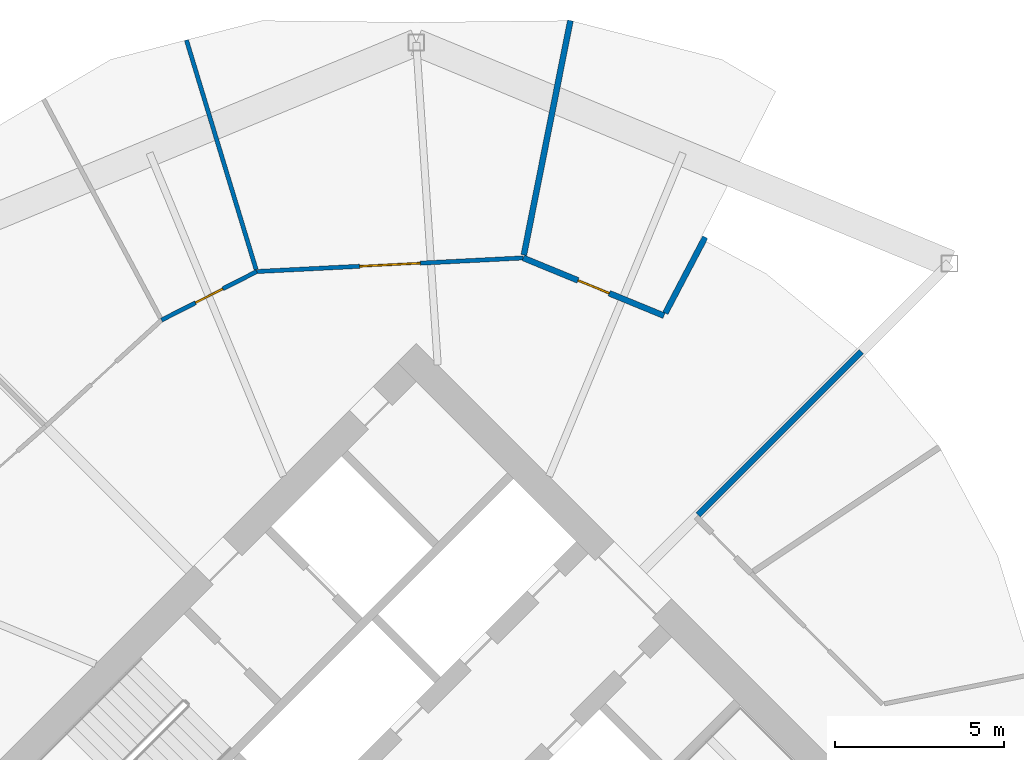
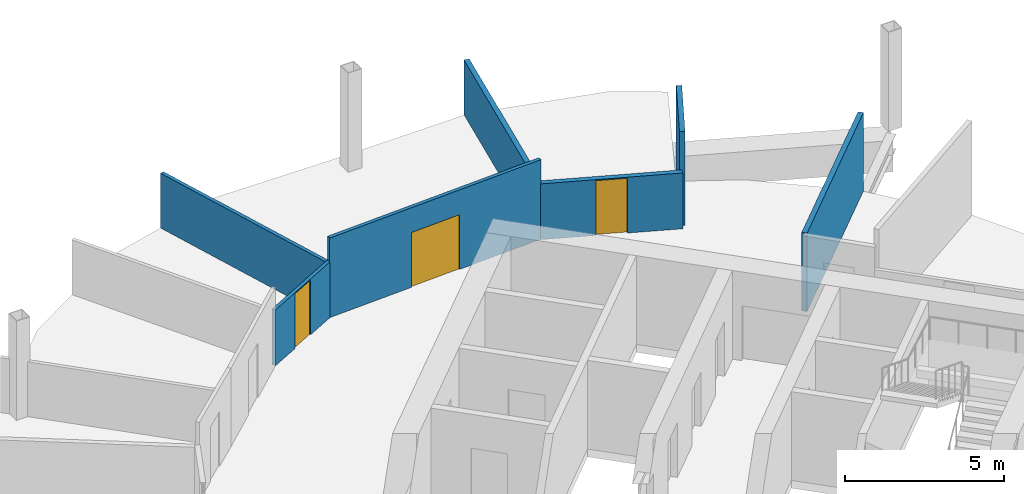
# One storey, part 8 of 10: 7 walls, 3 doors, 3 openings.
"""IFC4 building model written with IfcOpenShell, lengths in metres."""

from ifc_helpers import new_model, si_unit, direction, frame, frame_2d, origin, place, context, subcontext, project, spatial, rectangle, extrude, material, layer, layer_set, type_object, element, fill, save


model = new_model("IFC4")

# Units and contexts
model_context = context("Model", 3, precision=1e-05, world=origin(), true_north=direction((0.0, 1.0)))
body_context = subcontext(model_context, "Body", "Model", "MODEL_VIEW")
ifc_project = project(units=[si_unit("LENGTHUNIT", "METRE"), si_unit("AREAUNIT", "SQUARE_METRE"), si_unit("VOLUMEUNIT", "CUBIC_METRE"), si_unit("PLANEANGLEUNIT", "RADIAN"), si_unit("MASSUNIT", "GRAM", prefix="KILO")], contexts=[model_context])

# Site, building, storey
site_placement = place(None, origin())
site = spatial("IfcSite", under=ifc_project, at=site_placement, CompositionType="ELEMENT")
building_placement = place(site_placement, origin())
building = spatial("IfcBuilding", under=site, at=building_placement, Name="Ogive Gate Towers", CompositionType="ELEMENT")
storey_placement = place(building_placement, frame((0.0, 0.0, 126.89990234375)))
storey = spatial("IfcBuildingStorey", under=building, at=storey_placement, Name="L30", CompositionType="ELEMENT", Elevation=126.89990234375)

# Walls
ifc_material_1 = material(Name="Gypsum board acoustic partition")
ifc_layer_1 = layer(ifc_material_1, 0.175048828125)
ifc_layer_set_1 = layer_set([ifc_layer_1], Name="Acoustic partition 175")
wall_type_1 = type_object("IfcWallType", Name="Acoustic partition 175", PredefinedType="PARTITIONING", material=ifc_layer_set_1)
wall_1_placement = place(storey_placement, frame((49.187255859375, 13.187255859375, 0.0), z_axis=(0.0, 0.0, 1.0), x_axis=(-0.707106781187, -0.707106781187, 0.0)))
element("IfcWall", 1, at=wall_1_placement, inside=storey, type_object=wall_type_1, Name="Partition T2-L30-003", PredefinedType="PARTITIONING", context=body_context, shape_type="SweptSolid", body=[
    extrude(rectangle(XDim=6.83154296875, YDim=0.175048828125, at=frame_2d((3.415771484375, 0.0))), origin(), (0.0, 0.0, 1.0), 3.010009765625),
])
wall_2_placement = place(storey_placement, frame((44.561279296875, 16.58251953125, 0.0), z_axis=(0.0, 0.0, 1.0), x_axis=(-0.465001537554, -0.885309872346, 0.0)))
element("IfcWall", 2, at=wall_2_placement, inside=storey, type_object=wall_type_1, Name="Partition T2-L30-004", PredefinedType="PARTITIONING", context=body_context, shape_type="SweptSolid", body=[
    extrude(rectangle(XDim=2.5400390625, YDim=0.175048828125, at=frame_2d((1.27001953125, 0.0))), origin(), (0.0, 0.0, 1.0), 3.60009765625),
])
wall_3_placement = place(storey_placement, frame((40.5673828125, 23.00048828125, 0.0), z_axis=(0.0, 0.0, 1.0), x_axis=(-0.194789952069, -0.980844979889, 0.0)))
element("IfcWall", 3, at=wall_3_placement, inside=storey, type_object=wall_type_1, Name="Partition T2-L30-005", PredefinedType="PARTITIONING", context=body_context, shape_type="SweptSolid", body=[
    extrude(rectangle(XDim=7.08154296875, YDim=0.175048828125, at=frame_2d((3.540771484375, 0.0))), origin(), (0.0, 0.0, 1.0), 2.10009765625),
])

# Wall, opening, door
wall_4_placement = place(storey_placement, frame((39.1708984375, 15.96875, 0.0), z_axis=(0.0, 0.0, 1.0), x_axis=(0.924996361834, -0.379975960547, 0.0)))
wall_4 = element("IfcWall", 4, at=wall_4_placement, inside=storey, type_object=wall_type_1, Name="Partition T2-L30-034", PredefinedType="PARTITIONING", context=body_context, shape_type="SweptSolid", body=[
    extrude(rectangle(XDim=4.50732421875, YDim=0.175048828125, at=frame_2d((2.253662109375, 0.0))), origin(), (0.0, 0.0, 1.0), 2.14013671875),
])
opening_1_placement = place(wall_4_placement, frame((1.75390625, 0.0, 0.0)))
opening_1 = element("IfcOpeningElement", 5, at=opening_1_placement, cuts=wall_4, Name="Opening T2-L30-D11", PredefinedType="OPENING", context=body_context, shape_type="SweptSolid", body=[
    extrude(rectangle(XDim=1.0, YDim=2.10009765625, at=frame_2d((0.5, 1.050048828125))), frame((0.0, 0.09765625, 0.0), z_axis=(0.0, -1.0, 0.0), x_axis=(1.0, 0.0, 0.0)), (0.0, 0.0, 1.0), 0.195068359375),
])
ifc_material_2 = material(Name="Timber door", Category="wood")
door_type_1 = type_object("IfcDoorType", Name="Door 1000", OperationType="NOTDEFINED", PredefinedType="DOOR", material=ifc_material_2)
door_1_placement = place(opening_1_placement, origin())
door_1 = element("IfcDoor", 6, at=door_1_placement, inside=storey, type_object=door_type_1, Name="Door T2-L30-D11", OperationType="SINGLE_SWING_LEFT", OverallHeight=2.10009765625, OverallWidth=1.0, PredefinedType="DOOR", context=body_context, shape_type="SweptSolid", body=[
    extrude(rectangle(XDim=1.0, YDim=2.10009765625, at=frame_2d((0.5, 1.050048828125))), frame((0.0, 0.02490234375, 0.0), z_axis=(0.0, -1.0, 0.0), x_axis=(1.0, 0.0, 0.0)), (0.0, 0.0, 1.0), 0.050048828125),
])
fill(opening_1, door_1)

# Wall
ifc_material_3 = material(Name="Gypsum board partition")
ifc_layer_2 = layer(ifc_material_3, 0.125)
ifc_layer_set_2 = layer_set([ifc_layer_2], Name="Partition 125")
wall_type_2 = type_object("IfcWallType", Name="Partition 125", PredefinedType="PARTITIONING", material=ifc_layer_set_2)
wall_5_placement = place(storey_placement, frame((29.19140625, 22.4248046875, 0.0), z_axis=(0.0, 0.0, 1.0), x_axis=(0.290532718115, -0.956865058253, 0.0)))
element("IfcWall", 7, at=wall_5_placement, inside=storey, type_object=wall_type_2, Name="Partition T2-L30-006", PredefinedType="PARTITIONING", context=body_context, shape_type="SweptSolid", body=[
    extrude(rectangle(XDim=7.106689453125, YDim=0.125, at=frame_2d((3.55322265625, 0.0))), origin(), (0.0, 0.0, 1.0), 2.10009765625),
])

# Wall, opening, door
wall_6_placement = place(storey_placement, frame((28.45361328125, 14.127197265625, 0.0), z_axis=(0.0, 0.0, 1.0), x_axis=(0.890930007864, 0.454140640207, 0.0)))
wall_6 = element("IfcWall", 8, at=wall_6_placement, inside=storey, type_object=wall_type_2, Name="Partition T2-L30-032", PredefinedType="PARTITIONING", context=body_context, shape_type="SweptSolid", body=[
    extrude(rectangle(XDim=3.165771484375, YDim=0.125, at=frame_2d((1.5830078125, 0.0))), origin(), (0.0, 0.0, 1.0), 2.14013671875),
])
opening_2_placement = place(wall_6_placement, frame((1.133056640625, 0.0, 0.0)))
opening_2 = element("IfcOpeningElement", 9, at=opening_2_placement, cuts=wall_6, Name="Opening T2-L30-D09", PredefinedType="OPENING", context=body_context, shape_type="SweptSolid", body=[
    extrude(rectangle(XDim=0.89990234375, YDim=2.10009765625, at=frame_2d((0.449951171875, 1.050048828125))), frame((0.0, 0.072509765625, 0.0), z_axis=(0.0, -1.0, 0.0), x_axis=(1.0, 0.0, 0.0)), (0.0, 0.0, 1.0), 0.14501953125),
])
door_type_2 = type_object("IfcDoorType", Name="Door 900", OperationType="NOTDEFINED", PredefinedType="DOOR", material=ifc_material_2)
door_2_placement = place(opening_2_placement, origin())
door_2 = element("IfcDoor", 10, at=door_2_placement, inside=storey, type_object=door_type_2, Name="Door T2-L30-D09", OperationType="SINGLE_SWING_LEFT", OverallHeight=2.10009765625, OverallWidth=0.89990234375, PredefinedType="DOOR", context=body_context, shape_type="SweptSolid", body=[
    extrude(rectangle(XDim=0.89990234375, YDim=2.10009765625, at=frame_2d((0.449951171875, 1.050048828125))), frame((0.0, 0.02490234375, 0.0), z_axis=(0.0, -1.0, 0.0), x_axis=(1.0, 0.0, 0.0)), (0.0, 0.0, 1.0), 0.050048828125),
])
fill(opening_2, door_2)

wall_7_placement = place(storey_placement, frame((31.274169921875, 15.56494140625, 0.0), z_axis=(0.0, 0.0, 1.0), x_axis=(0.998695103722, 0.051069460552, 0.0)))
wall_7 = element("IfcWall", 11, at=wall_7_placement, inside=storey, type_object=wall_type_2, Name="Partition T2-L30-033", PredefinedType="PARTITIONING", context=body_context, shape_type="SweptSolid", body=[
    extrude(rectangle(XDim=7.906982421875, YDim=0.125, at=frame_2d((3.95361328125, 0.0))), origin(), (0.0, 0.0, 1.0), 3.050048828125),
])
opening_3_placement = place(wall_7_placement, frame((3.053955078125, 0.0, 0.0)))
opening_3 = element("IfcOpeningElement", 12, at=opening_3_placement, cuts=wall_7, Name="Opening T2-L30-D10", PredefinedType="OPENING", context=body_context, shape_type="SweptSolid", body=[
    extrude(rectangle(XDim=1.800048828125, YDim=2.10009765625, at=frame_2d((0.89990234375, 1.050048828125))), frame((0.0, 0.072509765625, 0.0), z_axis=(0.0, -1.0, 0.0), x_axis=(1.0, 0.0, 0.0)), (0.0, 0.0, 1.0), 0.14501953125),
])
door_type_3 = type_object("IfcDoorType", Name="Door pair 1800", OperationType="NOTDEFINED", PredefinedType="DOOR", material=ifc_material_2)
door_3_placement = place(opening_3_placement, origin())
door_3 = element("IfcDoor", 13, at=door_3_placement, inside=storey, type_object=door_type_3, Name="Door T2-L30-D10", OperationType="DOUBLE_DOOR_DOUBLE_SWING", OverallHeight=2.10009765625, OverallWidth=1.800048828125, PredefinedType="DOOR", context=body_context, shape_type="SweptSolid", body=[
    extrude(rectangle(XDim=1.800048828125, YDim=2.10009765625, at=frame_2d((0.89990234375, 1.050048828125))), frame((0.0, 0.02490234375, 0.0), z_axis=(0.0, -1.0, 0.0), x_axis=(1.0, 0.0, 0.0)), (0.0, 0.0, 1.0), 0.050048828125),
])
fill(opening_3, door_3)

save(model, "model.ifc")
